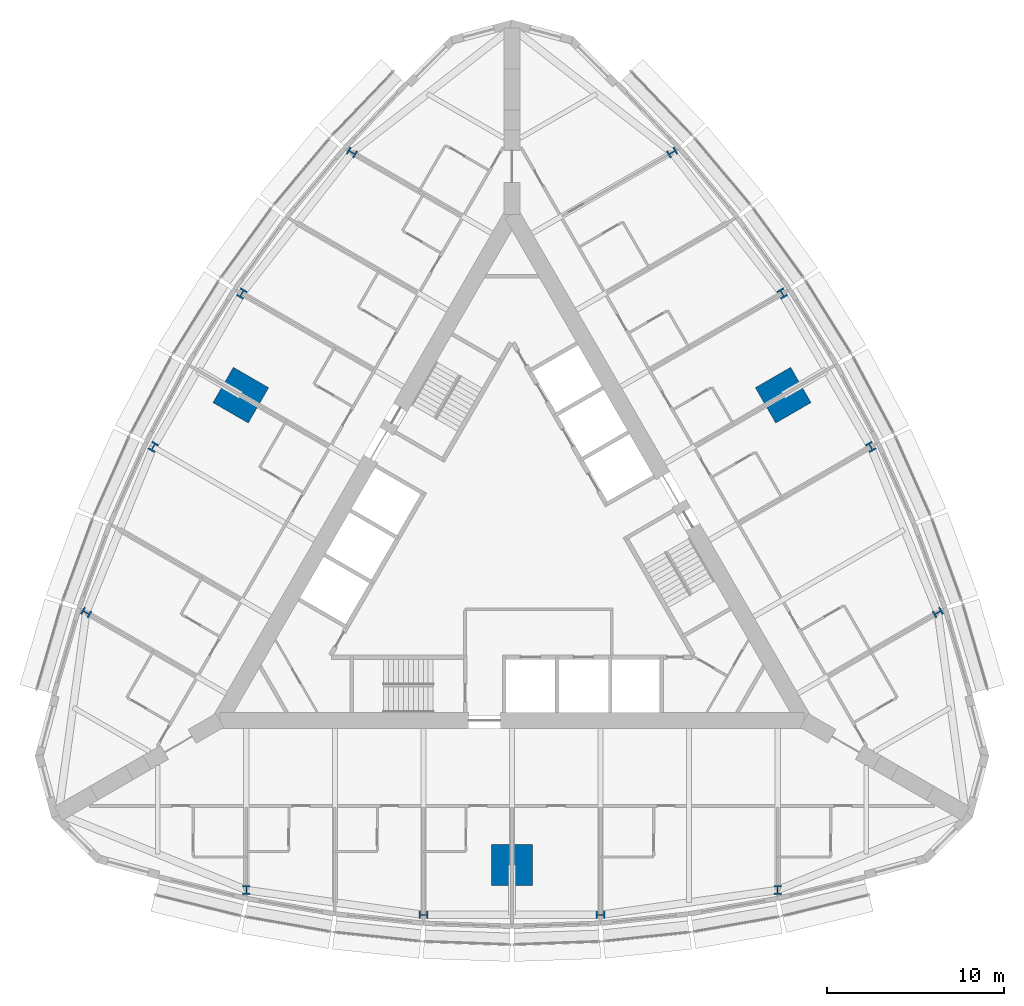
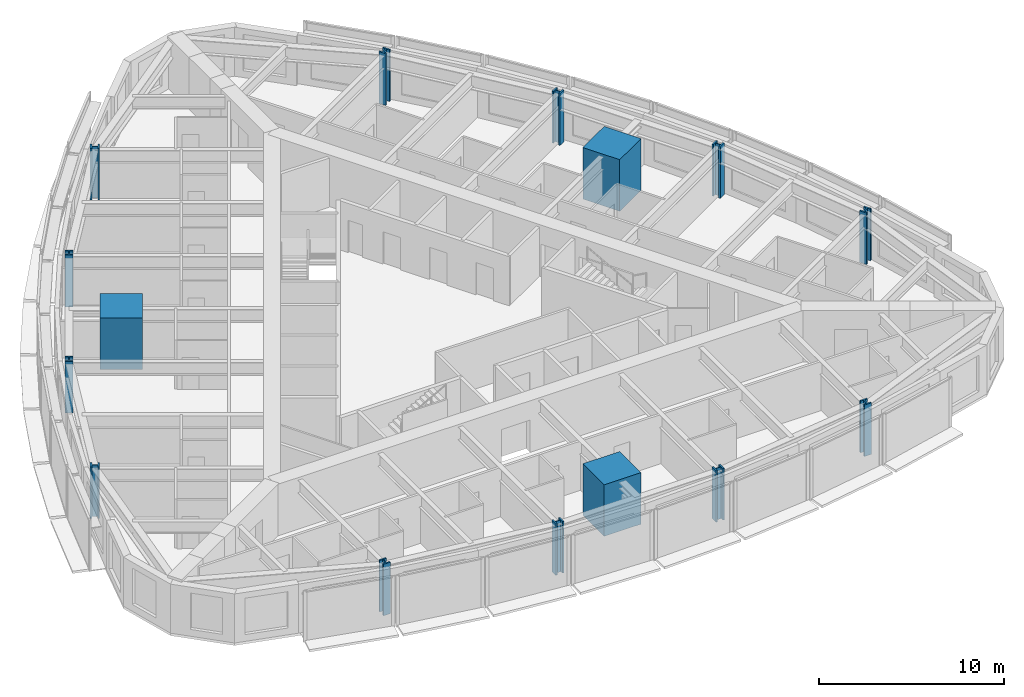
# One storey, part 1 of 14: 15 columns.
"""IFC4 building model written with IfcOpenShell, lengths in metres."""

from ifc_helpers import new_model, si_unit, direction, frame, origin, origin_2d, place, context, subcontext, project, spatial, rectangle, i_section, extrude, material, material_profile, profile_set, type_object, element, save


model = new_model("IFC4")

# Units and contexts
model_context = context("Model", 3, precision=1e-05, world=origin(), true_north=direction((0.0, 1.0)))
body_context = subcontext(model_context, "Body", "Model", "MODEL_VIEW")
ifc_project = project(units=[si_unit("LENGTHUNIT", "METRE"), si_unit("AREAUNIT", "SQUARE_METRE"), si_unit("VOLUMEUNIT", "CUBIC_METRE"), si_unit("PLANEANGLEUNIT", "RADIAN"), si_unit("MASSUNIT", "GRAM", prefix="KILO")], contexts=[model_context])

# Site, building, storey
site_placement = place(None, origin())
site = spatial("IfcSite", under=ifc_project, at=site_placement, CompositionType="ELEMENT")
building_placement = place(site_placement, origin())
building = spatial("IfcBuilding", under=site, at=building_placement, Name="Trikona Tower", CompositionType="ELEMENT")
storey_placement = place(building_placement, frame((0.0, 0.0, 114.699951171875)))
storey = spatial("IfcBuildingStorey", under=building, at=storey_placement, Name="L29", CompositionType="ELEMENT", Elevation=114.699951171875)

# Columns
ifc_material_1 = material(Name="Concrete f'c 10000 psi with encased steel section", Category="concrete")
ifc_material_profile_1 = material_profile(ifc_material_1, rectangle(XDim=2.300048828125, YDim=2.300048828125, at=origin_2d()), Name="MC2300")
ifc_profile_set_1 = profile_set([ifc_material_profile_1], Name="Concrete f'c 10000 psi with encased steel section")
column_type_1 = type_object("IfcColumnType", Name="Composite mega column 2300x2300", PredefinedType="COLUMN", material=ifc_profile_set_1)
for number, where, z_axis, x_axis, name in (
    (1, (0.0, -17.680419921875, 0.0), (0.0, 0.0, 1.0), (0.0, -1.0, 0.0), "Mega column MC1"),
    (2, (15.311767578125, 8.84033203125, 0.0), (0.0, 0.0, 1.0), (0.866025403784, 0.5, 0.0), "Mega column MC2"),
    (3, (-15.311767578125, 8.84033203125, 0.0), (0.0, 0.0, 1.0), (-0.866025403784, 0.5, 0.0), "Mega column MC3"),
):
    element("IfcColumn", number, at=place(storey_placement, frame(where, z_axis=z_axis, x_axis=x_axis)), inside=storey, type_object=column_type_1, Name=name, PredefinedType="COLUMN", context=body_context, shape_type="SweptSolid", body=[
        extrude(rectangle(XDim=2.300048828125, YDim=2.300048828125, at=origin_2d()), origin(), (0.0, 0.0, 1.0), 3.400146484375),
    ])
ifc_material_2 = material(Name="Steel ASTM A992 Grade 50", Category="steel")
ifc_material_profile_2 = material_profile(ifc_material_2, i_section(OverallWidth=0.436767578125, OverallDepth=0.51318359375, WebThickness=0.060546875, FlangeThickness=0.096923828125, at=origin_2d()), Name="W14X550")
ifc_profile_set_2 = profile_set([ifc_material_profile_2], Name="Steel ASTM A992 Grade 50")
column_type_2 = type_object("IfcColumnType", Name="Steel column W14x550", PredefinedType="COLUMN", material=ifc_profile_set_2)
for number, where, z_axis, x_axis, name in (
    (4, (-15.0, -19.10009765625, 0.0), (0.0, 0.0, 1.0), (1.0, 0.0, 0.0), "Column F0m15"),
    (5, (-5.0, -20.500244140625, 0.0), (0.0, 0.0, 1.0), (0.0, -1.0, 0.0), "Column F0m5"),
    (6, (5.0, -20.500244140625, 0.0), (0.0, 0.0, 1.0), (0.0, -1.0, 0.0), "Column F0p5"),
    (7, (15.0, -19.10009765625, 0.0), (0.0, 0.0, 1.0), (1.0, 0.0, 0.0), "Column F0p15"),
    (8, (24.041259765625, -3.440185546875, 0.0), (0.0, 0.0, 1.0), (-0.5, 0.866025403784, 0.0), "Column F1m15"),
    (9, (20.253662109375, 5.919921875, 0.0), (0.0, 0.0, 1.0), (0.866025403784, 0.5, 0.0), "Column F1m5"),
    (10, (15.253662109375, 14.580078125, 0.0), (0.0, 0.0, 1.0), (0.866025403784, 0.5, 0.0), "Column F1p5"),
    (11, (9.041259765625, 22.54052734375, 0.0), (0.0, 0.0, 1.0), (-0.5, 0.866025403784, 0.0), "Column F1p15"),
    (12, (-9.041259765625, 22.54052734375, 0.0), (0.0, 0.0, 1.0), (-0.5, -0.866025403784, 0.0), "Column F2m15"),
    (13, (-15.253662109375, 14.580078125, 0.0), (0.0, 0.0, 1.0), (-0.866025403784, 0.5, 0.0), "Column F2m5"),
    (14, (-20.253662109375, 5.919921875, 0.0), (0.0, 0.0, 1.0), (-0.866025403784, 0.5, 0.0), "Column F2p5"),
    (15, (-24.041259765625, -3.440185546875, 0.0), (0.0, 0.0, 1.0), (-0.5, -0.866025403784, 0.0), "Column F2p15"),
):
    element("IfcColumn", number, at=place(storey_placement, frame(where, z_axis=z_axis, x_axis=x_axis)), inside=storey, type_object=column_type_2, Name=name, PredefinedType="COLUMN", context=body_context, shape_type="SweptSolid", body=[
        extrude(i_section(OverallWidth=0.436767578125, OverallDepth=0.51318359375, WebThickness=0.060546875, FlangeThickness=0.096923828125, at=origin_2d()), origin(), (0.0, 0.0, 1.0), 3.400146484375),
    ])

save(model, "model.ifc")
